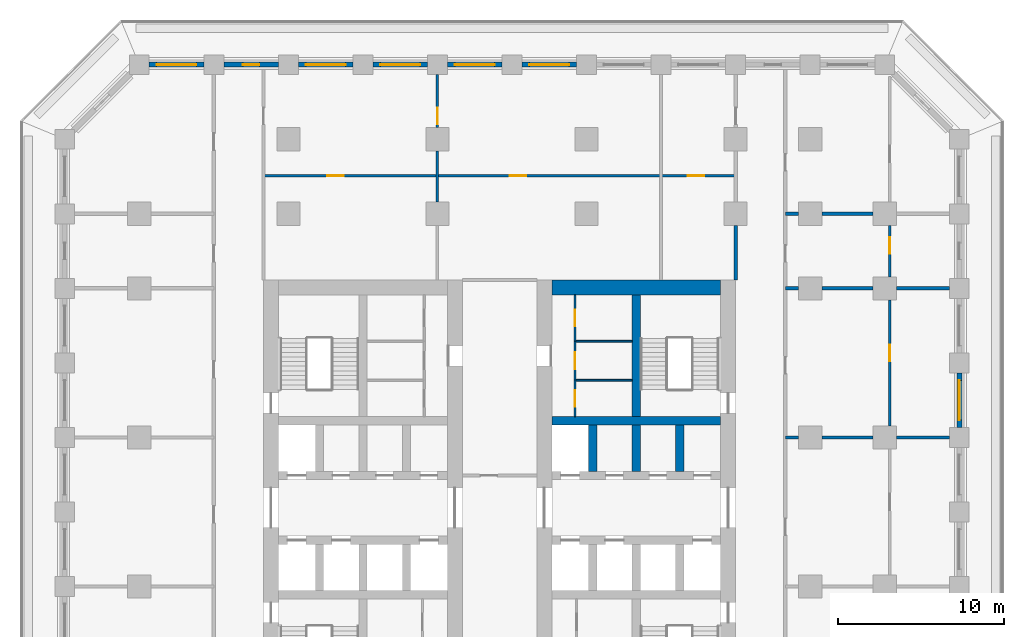
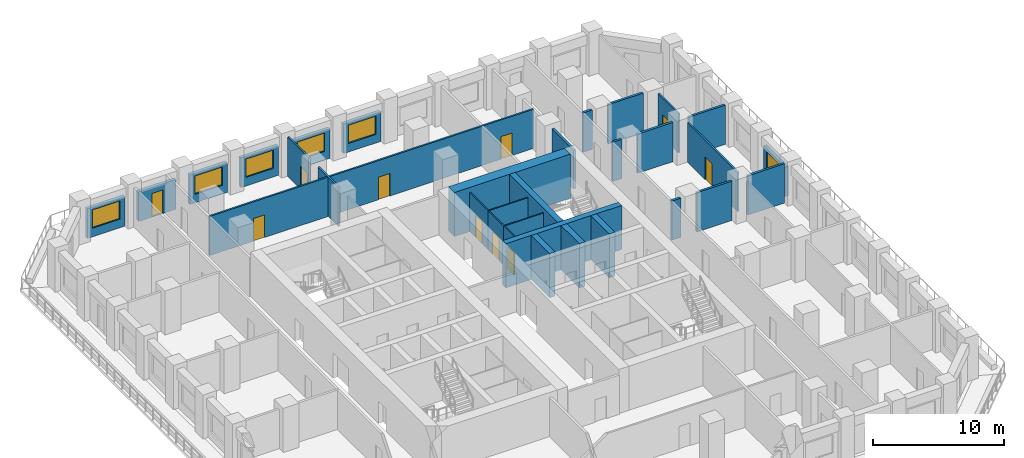
# One storey, part 7 of 17: 32 walls, 10 doors, 6 windows, 16 openings.
"""IFC4 building model written with IfcOpenShell, lengths in metres."""

from ifc_helpers import new_model, si_unit, direction, frame, frame_2d, origin, place, context, subcontext, project, spatial, rectangle, extrude, material, layer, layer_set, type_object, element, fill, save


model = new_model("IFC4")

# Units and contexts
model_context = context("Model", 3, precision=1e-05, world=origin(), true_north=direction((0.0, 1.0)))
body_context = subcontext(model_context, "Body", "Model", "MODEL_VIEW")
ifc_project = project(units=[si_unit("LENGTHUNIT", "METRE"), si_unit("AREAUNIT", "SQUARE_METRE"), si_unit("VOLUMEUNIT", "CUBIC_METRE"), si_unit("PLANEANGLEUNIT", "RADIAN"), si_unit("MASSUNIT", "GRAM", prefix="KILO")], contexts=[model_context])

# Site, building, storey
site_placement = place(None, origin())
site = spatial("IfcSite", under=ifc_project, at=site_placement, CompositionType="ELEMENT")
building_placement = place(site_placement, origin())
building = spatial("IfcBuilding", under=site, at=building_placement, Name="Corbel Stack Research Tower", CompositionType="ELEMENT")
storey_placement = place(building_placement, frame((0.0, 0.0, 94.300048828125)))
storey = spatial("IfcBuildingStorey", under=building, at=storey_placement, Name="L21", CompositionType="ELEMENT", Elevation=94.300048828125)

# Walls
ifc_material_1 = material(Name="Concrete C70/85", Category="concrete")
ifc_layer_1 = layer(ifc_material_1, 0.5)
ifc_layer_set_1 = layer_set([ifc_layer_1], Name="Concrete C70/85")
wall_type_1 = type_object("IfcWallType", Name="CW-500-70", PredefinedType="SHEAR", material=ifc_layer_set_1)
wall_1_placement = place(storey_placement, frame((6.89990234375, 10.0, 0.0), z_axis=(0.0, 0.0, 1.0), x_axis=(1.0, 0.0, 0.0)))
element("IfcWall", 1, at=wall_1_placement, inside=storey, type_object=wall_type_1, Name="East core wall, north row back L21", PredefinedType="SHEAR", context=body_context, shape_type="SweptSolid", body=[
    extrude(rectangle(XDim=10.2001953125, YDim=0.5, at=frame_2d((5.10009765625, 0.0))), origin(), (0.0, 0.0, 1.0), 4.099853515625),
])
for number, where, z_axis, x_axis, name in (
    (2, (9.375, 6.949951171875, 0.0), (0.0, 0.0, 1.0), (0.0, 1.0, 0.0), "East core wall, north shaft 1 L21"),
    (3, (12.0, 6.949951171875, 0.0), (0.0, 0.0, 1.0), (0.0, 1.0, 0.0), "East core wall, north shaft 2 L21"),
    (4, (14.625, 6.949951171875, 0.0), (0.0, 0.0, 1.0), (0.0, 1.0, 0.0), "East core wall, north shaft 3 L21"),
):
    element("IfcWall", number, at=place(storey_placement, frame(where, z_axis=z_axis, x_axis=x_axis)), inside=storey, type_object=wall_type_1, Name=name, PredefinedType="SHEAR", context=body_context, shape_type="SweptSolid", body=[
        extrude(rectangle(XDim=2.800048828125, YDim=0.5, at=frame_2d((1.39990234375, 0.0))), origin(), (0.0, 0.0, 1.0), 4.099853515625),
    ])
wall_2_placement = place(storey_placement, frame((12.0, 10.25, 0.0), z_axis=(0.0, 0.0, 1.0), x_axis=(0.0, 1.0, 0.0)))
element("IfcWall", 5, at=wall_2_placement, inside=storey, type_object=wall_type_1, Name="East core wall, north stair and riser L21", PredefinedType="SHEAR", context=body_context, shape_type="SweptSolid", body=[
    extrude(rectangle(XDim=7.35009765625, YDim=0.5, at=frame_2d((3.675048828125, 0.0))), origin(), (0.0, 0.0, 1.0), 4.099853515625),
])
ifc_material_2 = material(Name="Concrete C70/85", Category="concrete")
ifc_layer_2 = layer(ifc_material_2, 0.89990234375)
ifc_layer_set_2 = layer_set([ifc_layer_2], Name="Concrete C70/85")
wall_type_2 = type_object("IfcWallType", Name="CW-900-70", PredefinedType="SHEAR", material=ifc_layer_set_2)
wall_3_placement = place(storey_placement, frame((6.89990234375, 18.050048828125, 0.0), z_axis=(0.0, 0.0, 1.0), x_axis=(1.0, 0.0, 0.0)))
element("IfcWall", 6, at=wall_3_placement, inside=storey, type_object=wall_type_2, Name="East core wall, north end L21", PredefinedType="SHEAR", context=body_context, shape_type="SweptSolid", body=[
    extrude(rectangle(XDim=10.2001953125, YDim=0.89990234375, at=frame_2d((5.10009765625, 0.0))), origin(), (0.0, 0.0, 1.0), 4.099853515625),
])

# Wall, opening, door
ifc_material_3 = material(Name="Gypsum board")
ifc_layer_3 = layer(ifc_material_3, 0.10009765625)
ifc_layer_set_3 = layer_set([ifc_layer_3], Name="Gypsum board")
wall_type_3 = type_object("IfcWallType", Name="Core partition 100", PredefinedType="PARTITIONING", material=ifc_layer_set_3)
wall_4_placement = place(storey_placement, frame((8.300048828125, 10.25, 0.0), z_axis=(0.0, 0.0, 1.0), x_axis=(0.0, 1.0, 0.0)))
wall_4 = element("IfcWall", 7, at=wall_4_placement, inside=storey, type_object=wall_type_3, Name="Core partition E", PredefinedType="PARTITIONING", context=body_context, shape_type="SweptSolid", body=[
    extrude(rectangle(XDim=2.205078125, YDim=0.10009765625, at=frame_2d((1.1025390625, 0.0))), origin(), (0.0, 0.0, 1.0), 3.64990234375),
])
opening_1_placement = place(wall_4_placement, frame((0.6025390625, 0.0, 0.0)))
opening_1 = element("IfcOpeningElement", 8, at=opening_1_placement, cuts=wall_4, Name="Opening CR-E12-R2-1000", PredefinedType="OPENING", context=body_context, shape_type="SweptSolid", body=[
    extrude(rectangle(XDim=1.0, YDim=2.10009765625, at=frame_2d((0.5, 1.050048828125))), frame((0.0, 0.06005859375, 0.0), z_axis=(0.0, -1.0, 0.0), x_axis=(1.0, 0.0, 0.0)), (0.0, 0.0, 1.0), 0.1201171875),
])
ifc_material_4 = material(Name="Painted steel door", Category="steel")
door_type_1 = type_object("IfcDoorType", Name="Riser door 1000 x 2100 FD60 left hand", OperationType="SINGLE_SWING_LEFT", PredefinedType="DOOR", material=ifc_material_4)
door_1_placement = place(opening_1_placement, origin())
door_1 = element("IfcDoor", 9, at=door_1_placement, inside=storey, type_object=door_type_1, Name="Mechanical riser door E core", OperationType="SINGLE_SWING_LEFT", OverallHeight=2.10009765625, OverallWidth=1.0, PredefinedType="DOOR", context=body_context, shape_type="SweptSolid", body=[
    extrude(rectangle(XDim=1.0, YDim=2.10009765625, at=frame_2d((0.5, 1.050048828125))), frame((0.0, 0.02490234375, 0.0), z_axis=(0.0, -1.0, 0.0), x_axis=(1.0, 0.0, 0.0)), (0.0, 0.0, 1.0), 0.050048828125),
])
fill(opening_1, door_1)

wall_5_placement = place(storey_placement, frame((8.300048828125, 12.455078125, 0.0), z_axis=(0.0, 0.0, 1.0), x_axis=(0.0, 1.0, 0.0)))
wall_5 = element("IfcWall", 10, at=wall_5_placement, inside=storey, type_object=wall_type_3, Name="Core partition E", PredefinedType="PARTITIONING", context=body_context, shape_type="SweptSolid", body=[
    extrude(rectangle(XDim=2.351806640625, YDim=0.10009765625, at=frame_2d((1.17578125, 0.0))), origin(), (0.0, 0.0, 1.0), 3.64990234375),
])
opening_2_placement = place(wall_5_placement, frame((0.676025390625, 0.0, 0.0)))
opening_2 = element("IfcOpeningElement", 11, at=opening_2_placement, cuts=wall_5, Name="Opening CR-E12-R3-1000", PredefinedType="OPENING", context=body_context, shape_type="SweptSolid", body=[
    extrude(rectangle(XDim=1.0, YDim=2.10009765625, at=frame_2d((0.5, 1.050048828125))), frame((0.0, 0.06005859375, 0.0), z_axis=(0.0, -1.0, 0.0), x_axis=(1.0, 0.0, 0.0)), (0.0, 0.0, 1.0), 0.1201171875),
])
ifc_material_5 = material(Name="Painted steel door", Category="steel")
door_type_2 = type_object("IfcDoorType", Name="Service door 1000 x 2100 FD30 right hand", OperationType="SINGLE_SWING_RIGHT", PredefinedType="DOOR", material=ifc_material_5)
door_2_placement = place(opening_2_placement, origin())
door_2 = element("IfcDoor", 12, at=door_2_placement, inside=storey, type_object=door_type_2, Name="Pantry door E core", OperationType="SINGLE_SWING_RIGHT", OverallHeight=2.10009765625, OverallWidth=1.0, PredefinedType="DOOR", context=body_context, shape_type="SweptSolid", body=[
    extrude(rectangle(XDim=1.0, YDim=2.10009765625, at=frame_2d((0.5, 1.050048828125))), frame((0.0, 0.02490234375, 0.0), z_axis=(0.0, -1.0, 0.0), x_axis=(1.0, 0.0, 0.0)), (0.0, 0.0, 1.0), 0.050048828125),
])
fill(opening_2, door_2)

wall_6_placement = place(storey_placement, frame((8.300048828125, 14.806884765625, 0.0), z_axis=(0.0, 0.0, 1.0), x_axis=(0.0, 1.0, 0.0)))
wall_6 = element("IfcWall", 13, at=wall_6_placement, inside=storey, type_object=wall_type_3, Name="Core partition E", PredefinedType="PARTITIONING", context=body_context, shape_type="SweptSolid", body=[
    extrude(rectangle(XDim=2.793212890625, YDim=0.10009765625, at=frame_2d((1.396484375, 0.0))), origin(), (0.0, 0.0, 1.0), 3.64990234375),
])
opening_3_placement = place(wall_6_placement, frame((0.896484375, 0.0, 0.0)))
opening_3 = element("IfcOpeningElement", 14, at=opening_3_placement, cuts=wall_6, Name="Opening CR-E12-R4-1000", PredefinedType="OPENING", context=body_context, shape_type="SweptSolid", body=[
    extrude(rectangle(XDim=1.0, YDim=2.10009765625, at=frame_2d((0.5, 1.050048828125))), frame((0.0, 0.06005859375, 0.0), z_axis=(0.0, -1.0, 0.0), x_axis=(1.0, 0.0, 0.0)), (0.0, 0.0, 1.0), 0.1201171875),
])
door_3_placement = place(opening_3_placement, origin())
door_3 = element("IfcDoor", 15, at=door_3_placement, inside=storey, type_object=door_type_1, Name="Electrical riser door E core", OperationType="SINGLE_SWING_LEFT", OverallHeight=2.10009765625, OverallWidth=1.0, PredefinedType="DOOR", context=body_context, shape_type="SweptSolid", body=[
    extrude(rectangle(XDim=1.0, YDim=2.10009765625, at=frame_2d((0.5, 1.050048828125))), frame((0.0, 0.02490234375, 0.0), z_axis=(0.0, -1.0, 0.0), x_axis=(1.0, 0.0, 0.0)), (0.0, 0.0, 1.0), 0.050048828125),
])
fill(opening_3, door_3)

# Walls
for number, where, z_axis, x_axis, name in (
    (16, (8.300048828125, 12.455078125, 0.0), (0.0, 0.0, 1.0), (1.0, 0.0, 0.0), "Core partition E"),
    (17, (8.300048828125, 14.806884765625, 0.0), (0.0, 0.0, 1.0), (1.0, 0.0, 0.0), "Core partition E"),
):
    element("IfcWall", number, at=place(storey_placement, frame(where, z_axis=z_axis, x_axis=x_axis)), inside=storey, type_object=wall_type_3, Name=name, PredefinedType="PARTITIONING", context=body_context, shape_type="SweptSolid", body=[
        extrude(rectangle(XDim=3.449951171875, YDim=0.10009765625, at=frame_2d((1.72509765625, 0.0))), origin(), (0.0, 0.0, 1.0), 3.64990234375),
    ])

# Wall, opening, door
ifc_material_6 = material(Name="Fire-rated gypsum board partition on steel studs", Category="steel")
ifc_layer_4 = layer(ifc_material_6, 0.14990234375)
ifc_layer_set_4 = layer_set([ifc_layer_4], Name="Fire-rated gypsum board partition on steel studs")
wall_type_4 = type_object("IfcWallType", Name="Fire-rated partition 150 EI 60", PredefinedType="PARTITIONING", material=ifc_layer_set_4)
wall_7_placement = place(storey_placement, frame((0.0, 30.89990234375, 0.0), z_axis=(0.0, 0.0, 1.0), x_axis=(0.0, -1.0, 0.0)))
wall_7 = element("IfcWall", 18, at=wall_7_placement, inside=storey, type_object=wall_type_4, Name="Partition L21-006", PredefinedType="PARTITIONING", context=body_context, shape_type="SweptSolid", body=[
    extrude(rectangle(XDim=3.199951171875, YDim=0.14990234375, at=frame_2d((1.60009765625, 0.0))), origin(), (0.0, 0.0, 1.0), 3.64990234375),
])
opening_4_placement = place(wall_7_placement, frame((2.0, 0.0, 0.0)))
opening_4 = element("IfcOpeningElement", 19, at=opening_4_placement, cuts=wall_7, Name="Opening B3V1-013", PredefinedType="OPENING", context=body_context, shape_type="SweptSolid", body=[
    extrude(rectangle(XDim=1.0, YDim=2.10009765625, at=frame_2d((0.5, 1.050048828125))), frame((0.0, 0.0849609375, 0.0), z_axis=(0.0, -1.0, 0.0), x_axis=(1.0, 0.0, 0.0)), (0.0, 0.0, 1.0), 0.169921875),
])
ifc_material_7 = material(Name="Painted steel fire door", Category="steel")
door_type_3 = type_object("IfcDoorType", Name="Fire door FD30S 1000 x 2100", OperationType="NOTDEFINED", PredefinedType="DOOR", material=ifc_material_7)
door_4_placement = place(opening_4_placement, origin())
door_4 = element("IfcDoor", 20, at=door_4_placement, inside=storey, type_object=door_type_3, Name="Door B3V1-013", OperationType="SINGLE_SWING_RIGHT", OverallHeight=2.10009765625, OverallWidth=1.0, PredefinedType="DOOR", context=body_context, shape_type="SweptSolid", body=[
    extrude(rectangle(XDim=1.0, YDim=2.10009765625, at=frame_2d((0.5, 1.050048828125))), frame((0.0, 0.02490234375, 0.0), z_axis=(0.0, -1.0, 0.0), x_axis=(1.0, 0.0, 0.0)), (0.0, 0.0, 1.0), 0.050048828125),
])
fill(opening_4, door_4)

# Walls
ifc_material_8 = material(Name="Fire-rated gypsum board partition on steel studs", Category="steel")
ifc_layer_5 = layer(ifc_material_8, 0.199951171875)
ifc_layer_set_5 = layer_set([ifc_layer_5], Name="Fire-rated gypsum board partition on steel studs")
wall_type_5 = type_object("IfcWallType", Name="Fire-rated partition 200 EI 60", PredefinedType="PARTITIONING", material=ifc_layer_set_5)
wall_8_placement = place(storey_placement, frame((18.0, 18.5, 0.0), z_axis=(0.0, 0.0, 1.0), x_axis=(0.0, 1.0, 0.0)))
element("IfcWall", 21, at=wall_8_placement, inside=storey, type_object=wall_type_5, Name="Partition L21-013", PredefinedType="PARTITIONING", context=body_context, shape_type="SweptSolid", body=[
    extrude(rectangle(XDim=3.300048828125, YDim=0.199951171875, at=frame_2d((1.64990234375, 0.0))), origin(), (0.0, 0.0, 1.0), 3.64990234375),
])
wall_9_placement = place(storey_placement, frame((21.0, 9.0, 0.0), z_axis=(0.0, 0.0, 1.0), x_axis=(1.0, 0.0, 0.0)))
element("IfcWall", 22, at=wall_9_placement, inside=storey, type_object=wall_type_5, Name="Partition L21-035", PredefinedType="PARTITIONING", context=body_context, shape_type="SweptSolid", body=[
    extrude(rectangle(XDim=0.800048828125, YDim=0.199951171875, at=frame_2d((0.39990234375, 0.0))), origin(), (0.0, 0.0, 1.0), 3.64990234375),
])
wall_10_placement = place(storey_placement, frame((23.199951171875, 9.0, 0.0), z_axis=(0.0, 0.0, 1.0), x_axis=(1.0, 0.0, 0.0)))
element("IfcWall", 23, at=wall_10_placement, inside=storey, type_object=wall_type_5, Name="Partition L21-036", PredefinedType="PARTITIONING", context=body_context, shape_type="SweptSolid", body=[
    extrude(rectangle(XDim=3.10009765625, YDim=0.199951171875, at=frame_2d((1.550048828125, 0.0))), origin(), (0.0, 0.0, 1.0), 3.64990234375),
])
wall_11_placement = place(storey_placement, frame((27.699951171875, 9.0, 0.0), z_axis=(0.0, 0.0, 1.0), x_axis=(1.0, 0.0, 0.0)))
element("IfcWall", 24, at=wall_11_placement, inside=storey, type_object=wall_type_5, Name="Partition L21-037", PredefinedType="PARTITIONING", context=body_context, shape_type="SweptSolid", body=[
    extrude(rectangle(XDim=3.199951171875, YDim=0.199951171875, at=frame_2d((1.60009765625, 0.0))), origin(), (0.0, 0.0, 1.0), 3.64990234375),
])
wall_12_placement = place(storey_placement, frame((21.0, 18.0, 0.0), z_axis=(0.0, 0.0, 1.0), x_axis=(1.0, 0.0, 0.0)))
element("IfcWall", 25, at=wall_12_placement, inside=storey, type_object=wall_type_5, Name="Partition L21-040", PredefinedType="PARTITIONING", context=body_context, shape_type="SweptSolid", body=[
    extrude(rectangle(XDim=0.800048828125, YDim=0.199951171875, at=frame_2d((0.39990234375, 0.0))), origin(), (0.0, 0.0, 1.0), 3.64990234375),
])
wall_13_placement = place(storey_placement, frame((23.199951171875, 18.0, 0.0), z_axis=(0.0, 0.0, 1.0), x_axis=(1.0, 0.0, 0.0)))
element("IfcWall", 26, at=wall_13_placement, inside=storey, type_object=wall_type_5, Name="Partition L21-041", PredefinedType="PARTITIONING", context=body_context, shape_type="SweptSolid", body=[
    extrude(rectangle(XDim=3.10009765625, YDim=0.199951171875, at=frame_2d((1.550048828125, 0.0))), origin(), (0.0, 0.0, 1.0), 3.64990234375),
])
wall_14_placement = place(storey_placement, frame((27.699951171875, 18.0, 0.0), z_axis=(0.0, 0.0, 1.0), x_axis=(1.0, 0.0, 0.0)))
element("IfcWall", 27, at=wall_14_placement, inside=storey, type_object=wall_type_5, Name="Partition L21-042", PredefinedType="PARTITIONING", context=body_context, shape_type="SweptSolid", body=[
    extrude(rectangle(XDim=3.199951171875, YDim=0.199951171875, at=frame_2d((1.60009765625, 0.0))), origin(), (0.0, 0.0, 1.0), 3.64990234375),
])
wall_15_placement = place(storey_placement, frame((21.0, 22.5, 0.0), z_axis=(0.0, 0.0, 1.0), x_axis=(1.0, 0.0, 0.0)))
element("IfcWall", 28, at=wall_15_placement, inside=storey, type_object=wall_type_5, Name="Partition L21-046", PredefinedType="PARTITIONING", context=body_context, shape_type="SweptSolid", body=[
    extrude(rectangle(XDim=0.800048828125, YDim=0.199951171875, at=frame_2d((0.39990234375, 0.0))), origin(), (0.0, 0.0, 1.0), 3.64990234375),
])
wall_16_placement = place(storey_placement, frame((23.199951171875, 22.5, 0.0), z_axis=(0.0, 0.0, 1.0), x_axis=(1.0, 0.0, 0.0)))
element("IfcWall", 29, at=wall_16_placement, inside=storey, type_object=wall_type_5, Name="Partition L21-047", PredefinedType="PARTITIONING", context=body_context, shape_type="SweptSolid", body=[
    extrude(rectangle(XDim=3.10009765625, YDim=0.199951171875, at=frame_2d((1.550048828125, 0.0))), origin(), (0.0, 0.0, 1.0), 3.64990234375),
])
ifc_material_9 = material(Name="Gypsum board partition on steel studs", Category="steel")
ifc_layer_6 = layer(ifc_material_9, 0.14990234375)
ifc_layer_set_6 = layer_set([ifc_layer_6], Name="Gypsum board partition on steel studs")
wall_type_6 = type_object("IfcWallType", Name="Partition 150", PredefinedType="PARTITIONING", material=ifc_layer_set_6)
wall_17_placement = place(storey_placement, frame((0.0, 23.199951171875, 0.0), z_axis=(0.0, 0.0, 1.0), x_axis=(0.0, 1.0, 0.0)))
element("IfcWall", 30, at=wall_17_placement, inside=storey, type_object=wall_type_6, Name="Partition L21-005", PredefinedType="PARTITIONING", context=body_context, shape_type="SweptSolid", body=[
    extrude(rectangle(XDim=3.10009765625, YDim=0.14990234375, at=frame_2d((1.550048828125, 0.0))), origin(), (0.0, 0.0, 1.0), 3.64990234375),
])

# Wall, opening, door
wall_18_placement = place(storey_placement, frame((27.300048828125, 17.300048828125, 0.0), z_axis=(0.0, 0.0, 1.0), x_axis=(0.0, -1.0, 0.0)))
wall_18 = element("IfcWall", 31, at=wall_18_placement, inside=storey, type_object=wall_type_6, Name="Partition L21-020", PredefinedType="PARTITIONING", context=body_context, shape_type="SweptSolid", body=[
    extrude(rectangle(XDim=7.60009765625, YDim=0.14990234375, at=frame_2d((3.800048828125, 0.0))), origin(), (0.0, 0.0, 1.0), 3.64990234375),
])
opening_5_placement = place(wall_18_placement, frame((2.699951171875, 0.0, 0.0)))
opening_5 = element("IfcOpeningElement", 32, at=opening_5_placement, cuts=wall_18, Name="Opening B3V1-029", PredefinedType="OPENING", context=body_context, shape_type="SweptSolid", body=[
    extrude(rectangle(XDim=1.0, YDim=2.10009765625, at=frame_2d((0.5, 1.050048828125))), frame((0.0, 0.0849609375, 0.0), z_axis=(0.0, -1.0, 0.0), x_axis=(1.0, 0.0, 0.0)), (0.0, 0.0, 1.0), 0.169921875),
])
ifc_material_10 = material(Name="Painted timber door", Category="wood")
door_type_4 = type_object("IfcDoorType", Name="Single door 1000 x 2100", OperationType="NOTDEFINED", PredefinedType="DOOR", material=ifc_material_10)
door_5_placement = place(opening_5_placement, origin())
door_5 = element("IfcDoor", 33, at=door_5_placement, inside=storey, type_object=door_type_4, Name="Door B3V1-029", OperationType="SINGLE_SWING_LEFT", OverallHeight=2.10009765625, OverallWidth=1.0, PredefinedType="DOOR", context=body_context, shape_type="SweptSolid", body=[
    extrude(rectangle(XDim=1.0, YDim=2.10009765625, at=frame_2d((0.5, 1.050048828125))), frame((0.0, 0.02490234375, 0.0), z_axis=(0.0, -1.0, 0.0), x_axis=(1.0, 0.0, 0.0)), (0.0, 0.0, 1.0), 0.050048828125),
])
fill(opening_5, door_5)

wall_19_placement = place(storey_placement, frame((27.300048828125, 21.800048828125, 0.0), z_axis=(0.0, 0.0, 1.0), x_axis=(0.0, -1.0, 0.0)))
wall_19 = element("IfcWall", 34, at=wall_19_placement, inside=storey, type_object=wall_type_6, Name="Partition L21-021", PredefinedType="PARTITIONING", context=body_context, shape_type="SweptSolid", body=[
    extrude(rectangle(XDim=3.10009765625, YDim=0.14990234375, at=frame_2d((1.550048828125, 0.0))), origin(), (0.0, 0.0, 1.0), 3.64990234375),
])
opening_6_placement = place(wall_19_placement, frame((0.699951171875, 0.0, 0.0)))
opening_6 = element("IfcOpeningElement", 35, at=opening_6_placement, cuts=wall_19, Name="Opening B3V1-030", PredefinedType="OPENING", context=body_context, shape_type="SweptSolid", body=[
    extrude(rectangle(XDim=1.0, YDim=2.10009765625, at=frame_2d((0.5, 1.050048828125))), frame((0.0, 0.0849609375, 0.0), z_axis=(0.0, -1.0, 0.0), x_axis=(1.0, 0.0, 0.0)), (0.0, 0.0, 1.0), 0.169921875),
])
door_6_placement = place(opening_6_placement, origin())
door_6 = element("IfcDoor", 36, at=door_6_placement, inside=storey, type_object=door_type_4, Name="Door B3V1-030", OperationType="SINGLE_SWING_LEFT", OverallHeight=2.10009765625, OverallWidth=1.0, PredefinedType="DOOR", context=body_context, shape_type="SweptSolid", body=[
    extrude(rectangle(XDim=1.0, YDim=2.10009765625, at=frame_2d((0.5, 1.050048828125))), frame((0.0, 0.02490234375, 0.0), z_axis=(0.0, -1.0, 0.0), x_axis=(1.0, 0.0, 0.0)), (0.0, 0.0, 1.0), 0.050048828125),
])
fill(opening_6, door_6)

# Wall, openings, doors
wall_20_placement = place(storey_placement, frame((18.0, 24.800048828125, 0.0), z_axis=(0.0, 0.0, 1.0), x_axis=(-1.0, 0.0, 0.0)))
wall_20 = element("IfcWall", 37, at=wall_20_placement, inside=storey, type_object=wall_type_6, Name="Partition L21-049", PredefinedType="PARTITIONING", context=body_context, shape_type="SweptSolid", body=[
    extrude(rectangle(XDim=28.5, YDim=0.14990234375, at=frame_2d((14.25, 0.0))), origin(), (0.0, 0.0, 1.0), 3.64990234375),
])
opening_7_placement = place(wall_20_placement, frame((23.64990234375, 0.0, 0.0)))
opening_7 = element("IfcOpeningElement", 38, at=opening_7_placement, cuts=wall_20, Name="Opening B3V1-023", PredefinedType="OPENING", context=body_context, shape_type="SweptSolid", body=[
    extrude(rectangle(XDim=1.0, YDim=2.10009765625, at=frame_2d((0.5, 1.050048828125))), frame((0.0, 0.0849609375, 0.0), z_axis=(0.0, -1.0, 0.0), x_axis=(1.0, 0.0, 0.0)), (0.0, 0.0, 1.0), 0.169921875),
])
opening_8_placement = place(wall_20_placement, frame((12.64990234375, 0.0, 0.0)))
opening_8 = element("IfcOpeningElement", 39, at=opening_8_placement, cuts=wall_20, Name="Opening B3V1-024", PredefinedType="OPENING", context=body_context, shape_type="SweptSolid", body=[
    extrude(rectangle(XDim=1.0, YDim=2.10009765625, at=frame_2d((0.5, 1.050048828125))), frame((0.0, 0.0849609375, 0.0), z_axis=(0.0, -1.0, 0.0), x_axis=(1.0, 0.0, 0.0)), (0.0, 0.0, 1.0), 0.169921875),
])
opening_9_placement = place(wall_20_placement, frame((1.89990234375, 0.0, 0.0)))
opening_9 = element("IfcOpeningElement", 40, at=opening_9_placement, cuts=wall_20, Name="Opening B3V1-025", PredefinedType="OPENING", context=body_context, shape_type="SweptSolid", body=[
    extrude(rectangle(XDim=1.0, YDim=2.10009765625, at=frame_2d((0.5, 1.050048828125))), frame((0.0, 0.0849609375, 0.0), z_axis=(0.0, -1.0, 0.0), x_axis=(1.0, 0.0, 0.0)), (0.0, 0.0, 1.0), 0.169921875),
])
door_7_placement = place(opening_7_placement, origin())
door_7 = element("IfcDoor", 41, at=door_7_placement, inside=storey, type_object=door_type_4, Name="Door B3V1-023", OperationType="SINGLE_SWING_RIGHT", OverallHeight=2.10009765625, OverallWidth=1.0, PredefinedType="DOOR", context=body_context, shape_type="SweptSolid", body=[
    extrude(rectangle(XDim=1.0, YDim=2.10009765625, at=frame_2d((0.5, 1.050048828125))), frame((0.0, 0.02490234375, 0.0), z_axis=(0.0, -1.0, 0.0), x_axis=(1.0, 0.0, 0.0)), (0.0, 0.0, 1.0), 0.050048828125),
])
fill(opening_7, door_7)
door_8_placement = place(opening_8_placement, origin())
door_8 = element("IfcDoor", 42, at=door_8_placement, inside=storey, type_object=door_type_4, Name="Door B3V1-024", OperationType="SINGLE_SWING_LEFT", OverallHeight=2.10009765625, OverallWidth=1.0, PredefinedType="DOOR", context=body_context, shape_type="SweptSolid", body=[
    extrude(rectangle(XDim=1.0, YDim=2.10009765625, at=frame_2d((0.5, 1.050048828125))), frame((0.0, 0.02490234375, 0.0), z_axis=(0.0, -1.0, 0.0), x_axis=(1.0, 0.0, 0.0)), (0.0, 0.0, 1.0), 0.050048828125),
])
fill(opening_8, door_8)
door_9_placement = place(opening_9_placement, origin())
door_9 = element("IfcDoor", 43, at=door_9_placement, inside=storey, type_object=door_type_4, Name="Door B3V1-025", OperationType="SINGLE_SWING_LEFT", OverallHeight=2.10009765625, OverallWidth=1.0, PredefinedType="DOOR", context=body_context, shape_type="SweptSolid", body=[
    extrude(rectangle(XDim=1.0, YDim=2.10009765625, at=frame_2d((0.5, 1.050048828125))), frame((0.0, 0.02490234375, 0.0), z_axis=(0.0, -1.0, 0.0), x_axis=(1.0, 0.0, 0.0)), (0.0, 0.0, 1.0), 0.050048828125),
])
fill(opening_9, door_9)

# Wall, opening, window
ifc_material_11 = material(Name="Concrete C45/55", Category="concrete")
ifc_layer_7 = layer(ifc_material_11, 0.300048828125)
ifc_layer_set_7 = layer_set([ifc_layer_7], Name="Concrete C45/55")
wall_type_7 = type_object("IfcWallType", Name="Terracotta-faced concrete wall 300", PredefinedType="SOLIDWALL", material=ifc_layer_set_7)
wall_21_placement = place(storey_placement, frame((31.5, 12.89990234375, 0.0), z_axis=(0.0, 0.0, 1.0), x_axis=(0.0, -1.0, 0.0)))
wall_21 = element("IfcWall", 44, at=wall_21_placement, inside=storey, type_object=wall_type_7, Name="Facade wall L21 E07", PredefinedType="SOLIDWALL", context=body_context, shape_type="SweptSolid", body=[
    extrude(rectangle(XDim=3.2998046875, YDim=0.300048828125, at=frame_2d((1.64990234375, 0.0))), origin(), (0.0, 0.0, 1.0), 2.75),
])
opening_10_placement = place(wall_21_placement, frame((0.449951171875, 0.0, 0.800048828125)))
opening_10 = element("IfcOpeningElement", 45, at=opening_10_placement, cuts=wall_21, Name="Opening W1", PredefinedType="OPENING", context=body_context, shape_type="SweptSolid", body=[
    extrude(rectangle(XDim=2.39990234375, YDim=1.699951171875, at=frame_2d((1.199951171875, 0.85009765625))), frame((0.0, 0.159912109375, 0.0), z_axis=(0.0, -1.0, 0.0), x_axis=(1.0, 0.0, 0.0)), (0.0, 0.0, 1.0), 0.320068359375),
])
ifc_material_12 = material(Name="Aluminium frame, clear double glazing", Category="aluminium")
window_type = type_object("IfcWindowType", Name="Window W1 2400 x 1700", PartitioningType="SINGLE_PANEL", PredefinedType="WINDOW", material=ifc_material_12)
window_1_placement = place(opening_10_placement, origin())
window_1 = element("IfcWindow", 46, at=window_1_placement, inside=storey, type_object=window_type, Name="Window W1 L21 E07", OverallHeight=1.699951171875, OverallWidth=2.39990234375, PartitioningType="SINGLE_PANEL", PredefinedType="WINDOW", context=body_context, shape_type="SweptSolid", body=[
    extrude(rectangle(XDim=2.39990234375, YDim=1.699951171875, at=frame_2d((1.199951171875, 0.85009765625))), frame((0.0, 0.030029296875, 0.0), z_axis=(0.0, -1.0, 0.0), x_axis=(1.0, 0.0, 0.0)), (0.0, 0.0, 1.0), 0.06005859375),
])
fill(opening_10, window_1)

wall_22_placement = place(storey_placement, frame((5.10009765625, 31.5, 0.0), z_axis=(0.0, 0.0, 1.0), x_axis=(1.0, 0.0, 0.0)))
wall_22 = element("IfcWall", 47, at=wall_22_placement, inside=storey, type_object=wall_type_7, Name="Facade wall L21 N05", PredefinedType="SOLIDWALL", context=body_context, shape_type="SweptSolid", body=[
    extrude(rectangle(XDim=3.2998046875, YDim=0.300048828125, at=frame_2d((1.64990234375, 0.0))), origin(), (0.0, 0.0, 1.0), 2.75),
])
opening_11_placement = place(wall_22_placement, frame((0.449951171875, 0.0, 0.800048828125)))
opening_11 = element("IfcOpeningElement", 48, at=opening_11_placement, cuts=wall_22, Name="Opening W1", PredefinedType="OPENING", context=body_context, shape_type="SweptSolid", body=[
    extrude(rectangle(XDim=2.39990234375, YDim=1.699951171875, at=frame_2d((1.199951171875, 0.85009765625))), frame((0.0, 0.159912109375, 0.0), z_axis=(0.0, -1.0, 0.0), x_axis=(1.0, 0.0, 0.0)), (0.0, 0.0, 1.0), 0.320068359375),
])
window_2_placement = place(opening_11_placement, origin())
window_2 = element("IfcWindow", 49, at=window_2_placement, inside=storey, type_object=window_type, Name="Window W1 L21 N05", OverallHeight=1.699951171875, OverallWidth=2.39990234375, PartitioningType="SINGLE_PANEL", PredefinedType="WINDOW", context=body_context, shape_type="SweptSolid", body=[
    extrude(rectangle(XDim=2.39990234375, YDim=1.699951171875, at=frame_2d((1.199951171875, 0.85009765625))), frame((0.0, 0.030029296875, 0.0), z_axis=(0.0, -1.0, 0.0), x_axis=(1.0, 0.0, 0.0)), (0.0, 0.0, 1.0), 0.06005859375),
])
fill(opening_11, window_2)

wall_23_placement = place(storey_placement, frame((0.60009765625, 31.5, 0.0), z_axis=(0.0, 0.0, 1.0), x_axis=(1.0, 0.0, 0.0)))
wall_23 = element("IfcWall", 50, at=wall_23_placement, inside=storey, type_object=wall_type_7, Name="Facade wall L21 N06", PredefinedType="SOLIDWALL", context=body_context, shape_type="SweptSolid", body=[
    extrude(rectangle(XDim=3.2998046875, YDim=0.300048828125, at=frame_2d((1.64990234375, 0.0))), origin(), (0.0, 0.0, 1.0), 2.75),
])
opening_12_placement = place(wall_23_placement, frame((0.449951171875, 0.0, 0.800048828125)))
opening_12 = element("IfcOpeningElement", 51, at=opening_12_placement, cuts=wall_23, Name="Opening W1", PredefinedType="OPENING", context=body_context, shape_type="SweptSolid", body=[
    extrude(rectangle(XDim=2.39990234375, YDim=1.699951171875, at=frame_2d((1.199951171875, 0.85009765625))), frame((0.0, 0.159912109375, 0.0), z_axis=(0.0, -1.0, 0.0), x_axis=(1.0, 0.0, 0.0)), (0.0, 0.0, 1.0), 0.320068359375),
])
window_3_placement = place(opening_12_placement, origin())
window_3 = element("IfcWindow", 52, at=window_3_placement, inside=storey, type_object=window_type, Name="Window W1 L21 N06", OverallHeight=1.699951171875, OverallWidth=2.39990234375, PartitioningType="SINGLE_PANEL", PredefinedType="WINDOW", context=body_context, shape_type="SweptSolid", body=[
    extrude(rectangle(XDim=2.39990234375, YDim=1.699951171875, at=frame_2d((1.199951171875, 0.85009765625))), frame((0.0, 0.030029296875, 0.0), z_axis=(0.0, -1.0, 0.0), x_axis=(1.0, 0.0, 0.0)), (0.0, 0.0, 1.0), 0.06005859375),
])
fill(opening_12, window_3)

wall_24_placement = place(storey_placement, frame((-3.89990234375, 31.5, 0.0), z_axis=(0.0, 0.0, 1.0), x_axis=(1.0, 0.0, 0.0)))
wall_24 = element("IfcWall", 53, at=wall_24_placement, inside=storey, type_object=wall_type_7, Name="Facade wall L21 N07", PredefinedType="SOLIDWALL", context=body_context, shape_type="SweptSolid", body=[
    extrude(rectangle(XDim=3.2998046875, YDim=0.300048828125, at=frame_2d((1.64990234375, 0.0))), origin(), (0.0, 0.0, 1.0), 2.75),
])
opening_13_placement = place(wall_24_placement, frame((0.449951171875, 0.0, 0.800048828125)))
opening_13 = element("IfcOpeningElement", 54, at=opening_13_placement, cuts=wall_24, Name="Opening W1", PredefinedType="OPENING", context=body_context, shape_type="SweptSolid", body=[
    extrude(rectangle(XDim=2.39990234375, YDim=1.699951171875, at=frame_2d((1.199951171875, 0.85009765625))), frame((0.0, 0.159912109375, 0.0), z_axis=(0.0, -1.0, 0.0), x_axis=(1.0, 0.0, 0.0)), (0.0, 0.0, 1.0), 0.320068359375),
])
window_4_placement = place(opening_13_placement, origin())
window_4 = element("IfcWindow", 55, at=window_4_placement, inside=storey, type_object=window_type, Name="Window W1 L21 N07", OverallHeight=1.699951171875, OverallWidth=2.39990234375, PartitioningType="SINGLE_PANEL", PredefinedType="WINDOW", context=body_context, shape_type="SweptSolid", body=[
    extrude(rectangle(XDim=2.39990234375, YDim=1.699951171875, at=frame_2d((1.199951171875, 0.85009765625))), frame((0.0, 0.030029296875, 0.0), z_axis=(0.0, -1.0, 0.0), x_axis=(1.0, 0.0, 0.0)), (0.0, 0.0, 1.0), 0.06005859375),
])
fill(opening_13, window_4)

wall_25_placement = place(storey_placement, frame((-8.39990234375, 31.5, 0.0), z_axis=(0.0, 0.0, 1.0), x_axis=(1.0, 0.0, 0.0)))
wall_25 = element("IfcWall", 56, at=wall_25_placement, inside=storey, type_object=wall_type_7, Name="Facade wall L21 N08", PredefinedType="SOLIDWALL", context=body_context, shape_type="SweptSolid", body=[
    extrude(rectangle(XDim=3.2998046875, YDim=0.300048828125, at=frame_2d((1.64990234375, 0.0))), origin(), (0.0, 0.0, 1.0), 2.75),
])
opening_14_placement = place(wall_25_placement, frame((0.449951171875, 0.0, 0.800048828125)))
opening_14 = element("IfcOpeningElement", 57, at=opening_14_placement, cuts=wall_25, Name="Opening W1", PredefinedType="OPENING", context=body_context, shape_type="SweptSolid", body=[
    extrude(rectangle(XDim=2.39990234375, YDim=1.699951171875, at=frame_2d((1.199951171875, 0.85009765625))), frame((0.0, 0.159912109375, 0.0), z_axis=(0.0, -1.0, 0.0), x_axis=(1.0, 0.0, 0.0)), (0.0, 0.0, 1.0), 0.320068359375),
])
window_5_placement = place(opening_14_placement, origin())
window_5 = element("IfcWindow", 58, at=window_5_placement, inside=storey, type_object=window_type, Name="Window W1 L21 N08", OverallHeight=1.699951171875, OverallWidth=2.39990234375, PartitioningType="SINGLE_PANEL", PredefinedType="WINDOW", context=body_context, shape_type="SweptSolid", body=[
    extrude(rectangle(XDim=2.39990234375, YDim=1.699951171875, at=frame_2d((1.199951171875, 0.85009765625))), frame((0.0, 0.030029296875, 0.0), z_axis=(0.0, -1.0, 0.0), x_axis=(1.0, 0.0, 0.0)), (0.0, 0.0, 1.0), 0.06005859375),
])
fill(opening_14, window_5)

# Wall, opening, door
wall_26_placement = place(storey_placement, frame((-12.89990234375, 31.5, 0.0), z_axis=(0.0, 0.0, 1.0), x_axis=(1.0, 0.0, 0.0)))
wall_26 = element("IfcWall", 59, at=wall_26_placement, inside=storey, type_object=wall_type_7, Name="Facade wall L21 N09", PredefinedType="SOLIDWALL", context=body_context, shape_type="SweptSolid", body=[
    extrude(rectangle(XDim=3.2998046875, YDim=0.300048828125, at=frame_2d((1.64990234375, 0.0))), origin(), (0.0, 0.0, 1.0), 2.75),
])
opening_15_placement = place(wall_26_placement, frame((1.14990234375, 0.0, 0.0)))
opening_15 = element("IfcOpeningElement", 60, at=opening_15_placement, cuts=wall_26, Name="Opening L21-B08", PredefinedType="OPENING", context=body_context, shape_type="SweptSolid", body=[
    extrude(rectangle(XDim=1.0, YDim=2.199951171875, at=frame_2d((0.5, 1.10009765625))), frame((0.0, 0.159912109375, 0.0), z_axis=(0.0, -1.0, 0.0), x_axis=(1.0, 0.0, 0.0)), (0.0, 0.0, 1.0), 0.320068359375),
])
ifc_material_13 = material(Name="Aluminium frame, clear double glazing", Category="aluminium")
door_type_5 = type_object("IfcDoorType", Name="Balcony door BD1 1000 x 2200", OperationType="NOTDEFINED", PredefinedType="DOOR", material=ifc_material_13)
door_10_placement = place(opening_15_placement, origin())
door_10 = element("IfcDoor", 61, at=door_10_placement, inside=storey, type_object=door_type_5, Name="Balcony door L21-B08", OperationType="SINGLE_SWING_RIGHT", OverallHeight=2.199951171875, OverallWidth=1.0, PredefinedType="DOOR", context=body_context, shape_type="SweptSolid", body=[
    extrude(rectangle(XDim=1.0, YDim=2.199951171875, at=frame_2d((0.5, 1.10009765625))), frame((0.0, 0.02490234375, 0.0), z_axis=(0.0, -1.0, 0.0), x_axis=(1.0, 0.0, 0.0)), (0.0, 0.0, 1.0), 0.050048828125),
])
fill(opening_15, door_10)

# Wall, opening, window
wall_27_placement = place(storey_placement, frame((-17.39990234375, 31.5, 0.0), z_axis=(0.0, 0.0, 1.0), x_axis=(1.0, 0.0, 0.0)))
wall_27 = element("IfcWall", 62, at=wall_27_placement, inside=storey, type_object=wall_type_7, Name="Facade wall L21 N10", PredefinedType="SOLIDWALL", context=body_context, shape_type="SweptSolid", body=[
    extrude(rectangle(XDim=3.2998046875, YDim=0.300048828125, at=frame_2d((1.64990234375, 0.0))), origin(), (0.0, 0.0, 1.0), 2.75),
])
opening_16_placement = place(wall_27_placement, frame((0.449951171875, 0.0, 0.800048828125)))
opening_16 = element("IfcOpeningElement", 63, at=opening_16_placement, cuts=wall_27, Name="Opening W1", PredefinedType="OPENING", context=body_context, shape_type="SweptSolid", body=[
    extrude(rectangle(XDim=2.39990234375, YDim=1.699951171875, at=frame_2d((1.199951171875, 0.85009765625))), frame((0.0, 0.159912109375, 0.0), z_axis=(0.0, -1.0, 0.0), x_axis=(1.0, 0.0, 0.0)), (0.0, 0.0, 1.0), 0.320068359375),
])
window_6_placement = place(opening_16_placement, origin())
window_6 = element("IfcWindow", 64, at=window_6_placement, inside=storey, type_object=window_type, Name="Window W1 L21 N10", OverallHeight=1.699951171875, OverallWidth=2.39990234375, PartitioningType="SINGLE_PANEL", PredefinedType="WINDOW", context=body_context, shape_type="SweptSolid", body=[
    extrude(rectangle(XDim=2.39990234375, YDim=1.699951171875, at=frame_2d((1.199951171875, 0.85009765625))), frame((0.0, 0.030029296875, 0.0), z_axis=(0.0, -1.0, 0.0), x_axis=(1.0, 0.0, 0.0)), (0.0, 0.0, 1.0), 0.06005859375),
])
fill(opening_16, window_6)

save(model, "model.ifc")
